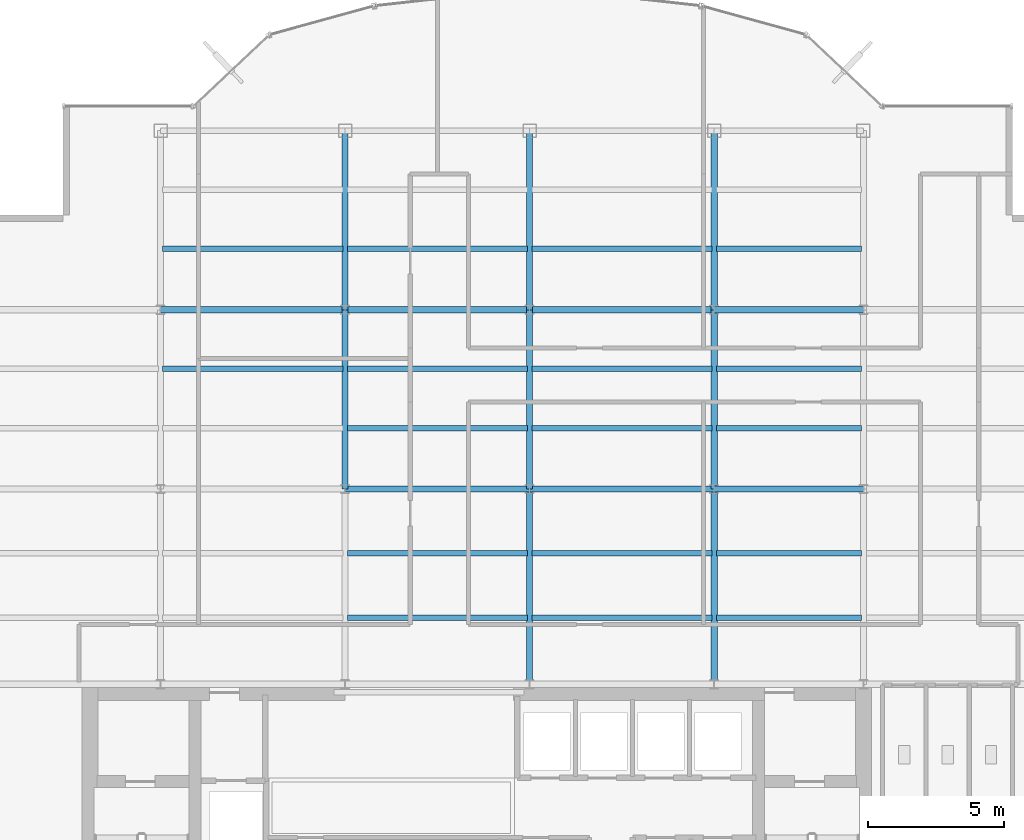
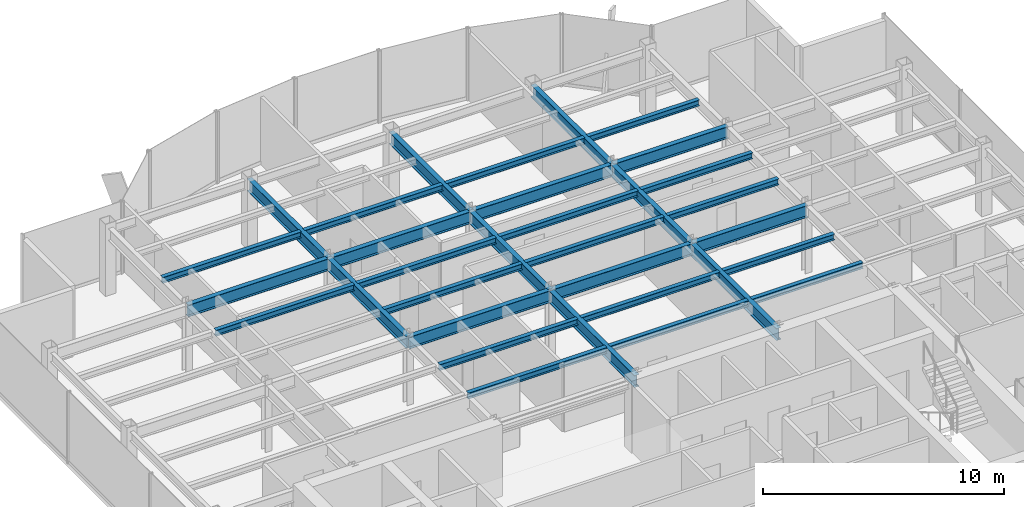
# One storey, part 8 of 22: 32 beams.
"""IFC4 building model written with IfcOpenShell, lengths in metres."""

from ifc_helpers import new_model, si_unit, derived_unit, direction, frame, origin, origin_2d, place, context, subcontext, project, spatial, i_section, extrude, source, transform, mapped, material, material_profile, profile_set, type_object, element, save


model = new_model("IFC4")

# Units and contexts
model_context = context("Model", 3, precision=1e-05, world=origin(), true_north=direction((0.0, 1.0)))
body_context = subcontext(model_context, "Body", "Model", "MODEL_VIEW")
ifc_project = project(units=[si_unit("LENGTHUNIT", "METRE"), si_unit("AREAUNIT", "SQUARE_METRE"), si_unit("VOLUMEUNIT", "CUBIC_METRE"), si_unit("PLANEANGLEUNIT", "RADIAN"), si_unit("MASSUNIT", "GRAM", prefix="KILO"), derived_unit("THERMALTRANSMITTANCEUNIT", [(si_unit("POWERUNIT", "WATT"), 1), (si_unit("LENGTHUNIT", "METRE"), -2), (si_unit("THERMODYNAMICTEMPERATUREUNIT", "KELVIN"), -1)])], contexts=[model_context])

# Site, building, storey
site_placement = place(None, origin())
site = spatial("IfcSite", under=ifc_project, at=site_placement, CompositionType="ELEMENT")
building_placement = place(site_placement, origin())
building = spatial("IfcBuilding", under=site, at=building_placement, Name="Skarnbrae Concourse Arena and Tower", CompositionType="ELEMENT")
storey_placement = place(building_placement, frame((0.0, 0.0, 258.800048828125)))
storey = spatial("IfcBuildingStorey", under=building, at=storey_placement, Name="L67", CompositionType="ELEMENT", Elevation=258.800048828125)

# Beams
ifc_material = material(Name="Steel CSA G40.21 350W", Category="steel")
ifc_material_profile_1 = material_profile(ifc_material, i_section(OverallWidth=0.22802734375, OverallDepth=0.60791015625, WebThickness=0.01123046875, FlangeThickness=0.017333984375, at=origin_2d()), Name="W610X113")
ifc_profile_set_1 = profile_set([ifc_material_profile_1], Name="Steel CSA G40.21 350W")
beam_type_1 = type_object("IfcBeamType", Name="BM-GIRD-W610X113", PredefinedType="BEAM", material=ifc_profile_set_1)
shared_shape_1 = source(origin(), body_context, "Body", "SweptSolid", [
    extrude(i_section(OverallWidth=0.22802734375, OverallDepth=0.60791015625, WebThickness=0.01123046875, FlangeThickness=0.017333984375, at=origin_2d()), origin(), (0.0, 0.0, 1.0), 6.60009765625),
])
for number, where, z_axis, x_axis, name in (
    (1, (14.39990234375, 21.199951171875, 3.095947265625), (0.0, 1.0, 0.0), (-1.0, 0.0, 0.0), "L67 Primary N-S girder X14.4-2"),
    (2, (21.199951171875, 21.199951171875, 3.095947265625), (0.0, 1.0, 0.0), (-1.0, 0.0, 0.0), "L67 Primary N-S girder X21.2-2"),
    (3, (28.0, 21.199951171875, 3.095947265625), (0.0, 1.0, 0.0), (-1.0, 0.0, 0.0), "L67 Primary N-S girder X28.0-2"),
):
    element("IfcBeam", number, at=place(storey_placement, frame(where, z_axis=z_axis, x_axis=x_axis)), inside=storey, type_object=beam_type_1, Name=name, PredefinedType="BEAM", context=body_context, shape_type="MappedRepresentation", body=[
        mapped(shared_shape_1, transform((0.0, 0.0, 0.0))),
    ])
shared_shape_2 = source(origin(), body_context, "Body", "SweptSolid", [
    extrude(i_section(OverallWidth=0.22802734375, OverallDepth=0.60791015625, WebThickness=0.01123046875, FlangeThickness=0.017333984375, at=origin_2d()), origin(), (0.0, 0.0, 1.0), 6.7998046875),
])
beam_placement = place(storey_placement, frame((7.60009765625, 27.800048828125, 3.095947265625), z_axis=(1.0, 0.0, 0.0), x_axis=(0.0, 1.0, 0.0)))
element("IfcBeam", 4, at=beam_placement, inside=storey, type_object=beam_type_1, Name="L67 Primary E-W girder Y27.8-2", PredefinedType="BEAM", context=body_context, shape_type="MappedRepresentation", body=[
    mapped(shared_shape_2, transform((0.0, 0.0, 0.0))),
])
shared_shape_3 = source(origin(), body_context, "Body", "SweptSolid", [
    extrude(i_section(OverallWidth=0.22802734375, OverallDepth=0.60791015625, WebThickness=0.01123046875, FlangeThickness=0.017333984375, at=origin_2d()), origin(), (0.0, 0.0, 1.0), 6.800048828125),
])
for number, where, z_axis, x_axis, name in (
    (5, (14.39990234375, 21.199951171875, 3.095947265625), (1.0, 0.0, 0.0), (0.0, 1.0, 0.0), "L67 Primary E-W girder Y21.2-3"),
    (6, (21.199951171875, 21.199951171875, 3.095947265625), (1.0, 0.0, 0.0), (0.0, 1.0, 0.0), "L67 Primary E-W girder Y21.2-4"),
    (7, (14.39990234375, 27.800048828125, 3.095947265625), (1.0, 0.0, 0.0), (0.0, 1.0, 0.0), "L67 Primary E-W girder Y27.8-3"),
    (8, (21.199951171875, 27.800048828125, 3.095947265625), (1.0, 0.0, 0.0), (0.0, 1.0, 0.0), "L67 Primary E-W girder Y27.8-4"),
):
    element("IfcBeam", number, at=place(storey_placement, frame(where, z_axis=z_axis, x_axis=x_axis)), inside=storey, type_object=beam_type_1, Name=name, PredefinedType="BEAM", context=body_context, shape_type="MappedRepresentation", body=[
        mapped(shared_shape_3, transform((0.0, 0.0, 0.0))),
    ])
shared_shape_4 = source(origin(), body_context, "Body", "SweptSolid", [
    extrude(i_section(OverallWidth=0.22802734375, OverallDepth=0.60791015625, WebThickness=0.01123046875, FlangeThickness=0.017333984375, at=origin_2d()), origin(), (0.0, 0.0, 1.0), 5.5),
])
for number, where, z_axis, x_axis, name in (
    (9, (28.0, 21.199951171875, 3.095947265625), (1.0, 0.0, 0.0), (0.0, 1.0, 0.0), "L67 Primary E-W girder Y21.2-5"),
    (10, (28.0, 27.800048828125, 3.095947265625), (1.0, 0.0, 0.0), (0.0, 1.0, 0.0), "L67 Primary E-W girder Y27.8-5"),
):
    element("IfcBeam", number, at=place(storey_placement, frame(where, z_axis=z_axis, x_axis=x_axis)), inside=storey, type_object=beam_type_1, Name=name, PredefinedType="BEAM", context=body_context, shape_type="MappedRepresentation", body=[
        mapped(shared_shape_4, transform((0.0, 0.0, 0.0))),
    ])
shared_shape_5 = source(origin(), body_context, "Body", "SweptSolid", [
    extrude(i_section(OverallWidth=0.22802734375, OverallDepth=0.60791015625, WebThickness=0.01123046875, FlangeThickness=0.017333984375, at=origin_2d()), origin(), (0.0, 0.0, 1.0), 7.199951171875),
])
for number, where, z_axis, x_axis, name in (
    (11, (21.199951171875, 14.0, 3.095947265625), (0.0, 1.0, 0.0), (-1.0, 0.0, 0.0), "L67 Primary N-S girder X21.2-1"),
    (12, (28.0, 14.0, 3.095947265625), (0.0, 1.0, 0.0), (-1.0, 0.0, 0.0), "L67 Primary N-S girder X28.0-1"),
):
    element("IfcBeam", number, at=place(storey_placement, frame(where, z_axis=z_axis, x_axis=x_axis)), inside=storey, type_object=beam_type_1, Name=name, PredefinedType="BEAM", context=body_context, shape_type="MappedRepresentation", body=[
        mapped(shared_shape_5, transform((0.0, 0.0, 0.0))),
    ])
shared_shape_6 = source(origin(), body_context, "Body", "SweptSolid", [
    extrude(i_section(OverallWidth=0.22802734375, OverallDepth=0.60791015625, WebThickness=0.01123046875, FlangeThickness=0.017333984375, at=origin_2d()), origin(), (0.0, 0.0, 1.0), 6.599853515625),
])
for number, where, z_axis, x_axis, name in (
    (13, (14.39990234375, 27.800048828125, 3.095947265625), (0.0, 1.0, 0.0), (-1.0, 0.0, 0.0), "L67 Primary N-S girder X14.4-3"),
    (14, (21.199951171875, 27.800048828125, 3.095947265625), (0.0, 1.0, 0.0), (-1.0, 0.0, 0.0), "L67 Primary N-S girder X21.2-3"),
    (15, (28.0, 27.800048828125, 3.095947265625), (0.0, 1.0, 0.0), (-1.0, 0.0, 0.0), "L67 Primary N-S girder X28.0-3"),
):
    element("IfcBeam", number, at=place(storey_placement, frame(where, z_axis=z_axis, x_axis=x_axis)), inside=storey, type_object=beam_type_1, Name=name, PredefinedType="BEAM", context=body_context, shape_type="MappedRepresentation", body=[
        mapped(shared_shape_6, transform((0.0, 0.0, 0.0))),
    ])
ifc_material_profile_2 = material_profile(ifc_material, i_section(OverallWidth=0.202880859375, OverallDepth=0.302978515625, WebThickness=0.007568359375, FlangeThickness=0.01318359375, at=origin_2d()), Name="W310X60")
ifc_profile_set_2 = profile_set([ifc_material_profile_2], Name="Steel CSA G40.21 350W")
beam_type_2 = type_object("IfcBeamType", Name="BM-JOIST-W310X60", PredefinedType="JOIST", material=ifc_profile_set_2)
shared_shape_7 = source(origin(), body_context, "Body", "SweptSolid", [
    extrude(i_section(OverallWidth=0.202880859375, OverallDepth=0.302978515625, WebThickness=0.007568359375, FlangeThickness=0.01318359375, at=origin_2d()), origin(), (0.0, 0.0, 1.0), 6.64013671875),
])
for number, where, z_axis, x_axis, name in (
    (16, (14.47998046875, 16.447998046875, 3.24853515625), (1.0, 0.0, 0.0), (0.0, 1.0, 0.0), "L67 Secondary floor joist 1.1.3"),
    (17, (14.47998046875, 18.823974609375, 3.24853515625), (1.0, 0.0, 0.0), (0.0, 1.0, 0.0), "L67 Secondary floor joist 1.2.3"),
    (18, (14.47998046875, 23.444091796875, 3.24853515625), (1.0, 0.0, 0.0), (0.0, 1.0, 0.0), "L67 Secondary floor joist 2.1.3"),
    (19, (7.679931640625, 25.6220703125, 3.24853515625), (1.0, 0.0, 0.0), (0.0, 1.0, 0.0), "L67 Secondary floor joist 2.2.2"),
    (20, (14.47998046875, 25.6220703125, 3.24853515625), (1.0, 0.0, 0.0), (0.0, 1.0, 0.0), "L67 Secondary floor joist 2.2.3"),
    (21, (7.679931640625, 30.0439453125, 3.24853515625), (1.0, 0.0, 0.0), (0.0, 1.0, 0.0), "L67 Secondary floor joist 3.1.1"),
    (22, (14.47998046875, 30.0439453125, 3.24853515625), (1.0, 0.0, 0.0), (0.0, 1.0, 0.0), "L67 Secondary floor joist 3.1.2"),
):
    element("IfcBeam", number, at=place(storey_placement, frame(where, z_axis=z_axis, x_axis=x_axis)), inside=storey, type_object=beam_type_2, Name=name, PredefinedType="JOIST", context=body_context, shape_type="MappedRepresentation", body=[
        mapped(shared_shape_7, transform((0.0, 0.0, 0.0))),
    ])
shared_shape_8 = source(origin(), body_context, "Body", "SweptSolid", [
    extrude(i_section(OverallWidth=0.202880859375, OverallDepth=0.302978515625, WebThickness=0.007568359375, FlangeThickness=0.01318359375, at=origin_2d()), origin(), (0.0, 0.0, 1.0), 6.639892578125),
])
for number, where, z_axis, x_axis, name in (
    (23, (21.280029296875, 16.447998046875, 3.24853515625), (1.0, 0.0, 0.0), (0.0, 1.0, 0.0), "L67 Secondary floor joist 1.1.4"),
    (24, (21.280029296875, 18.823974609375, 3.24853515625), (1.0, 0.0, 0.0), (0.0, 1.0, 0.0), "L67 Secondary floor joist 1.2.4"),
    (25, (21.280029296875, 23.444091796875, 3.24853515625), (1.0, 0.0, 0.0), (0.0, 1.0, 0.0), "L67 Secondary floor joist 2.1.4"),
    (26, (21.280029296875, 25.6220703125, 3.24853515625), (1.0, 0.0, 0.0), (0.0, 1.0, 0.0), "L67 Secondary floor joist 2.2.4"),
    (27, (21.280029296875, 30.0439453125, 3.24853515625), (1.0, 0.0, 0.0), (0.0, 1.0, 0.0), "L67 Secondary floor joist 3.1.3"),
):
    element("IfcBeam", number, at=place(storey_placement, frame(where, z_axis=z_axis, x_axis=x_axis)), inside=storey, type_object=beam_type_2, Name=name, PredefinedType="JOIST", context=body_context, shape_type="MappedRepresentation", body=[
        mapped(shared_shape_8, transform((0.0, 0.0, 0.0))),
    ])
shared_shape_9 = source(origin(), body_context, "Body", "SweptSolid", [
    extrude(i_section(OverallWidth=0.202880859375, OverallDepth=0.302978515625, WebThickness=0.007568359375, FlangeThickness=0.01318359375, at=origin_2d()), origin(), (0.0, 0.0, 1.0), 5.33984375),
])
for number, where, z_axis, x_axis, name in (
    (28, (28.080078125, 16.447998046875, 3.24853515625), (1.0, 0.0, 0.0), (0.0, 1.0, 0.0), "L67 Secondary floor joist 1.1.5"),
    (29, (28.080078125, 18.823974609375, 3.24853515625), (1.0, 0.0, 0.0), (0.0, 1.0, 0.0), "L67 Secondary floor joist 1.2.5"),
    (30, (28.080078125, 23.444091796875, 3.24853515625), (1.0, 0.0, 0.0), (0.0, 1.0, 0.0), "L67 Secondary floor joist 2.1.5"),
    (31, (28.080078125, 25.6220703125, 3.24853515625), (1.0, 0.0, 0.0), (0.0, 1.0, 0.0), "L67 Secondary floor joist 2.2.5"),
    (32, (28.080078125, 30.0439453125, 3.24853515625), (1.0, 0.0, 0.0), (0.0, 1.0, 0.0), "L67 Secondary floor joist 3.1.4"),
):
    element("IfcBeam", number, at=place(storey_placement, frame(where, z_axis=z_axis, x_axis=x_axis)), inside=storey, type_object=beam_type_2, Name=name, PredefinedType="JOIST", context=body_context, shape_type="MappedRepresentation", body=[
        mapped(shared_shape_9, transform((0.0, 0.0, 0.0))),
    ])

save(model, "model.ifc")
